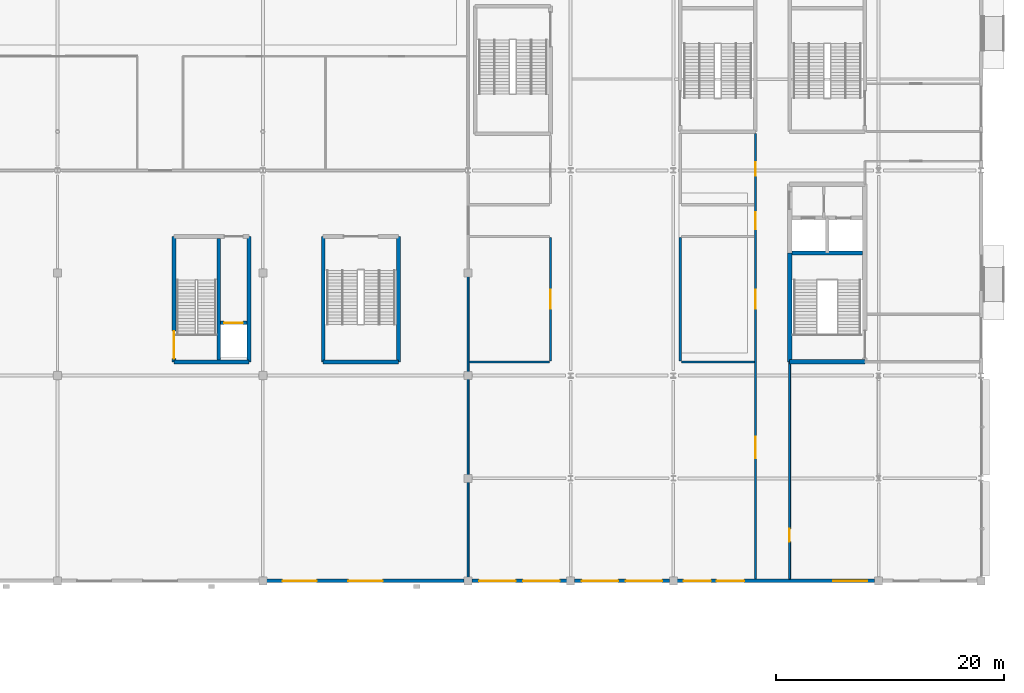
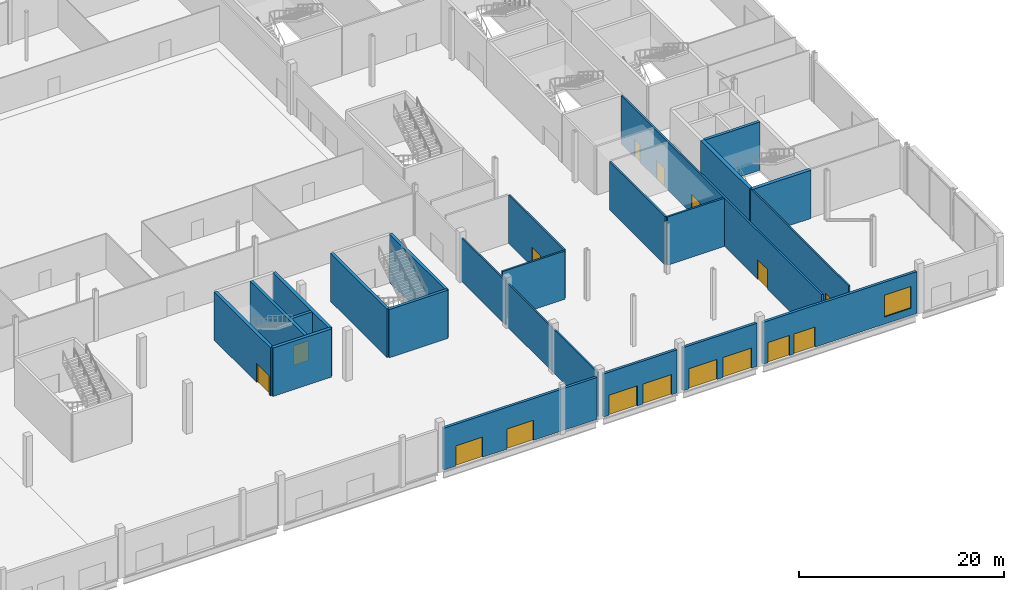
# One storey, part 38 of 84: 23 walls, 16 doors, 1 window, 17 openings.
"""IFC4 building model written with IfcOpenShell, lengths in metres."""

from ifc_helpers import new_model, si_unit, direction, frame, frame_2d, origin, place, context, subcontext, project, spatial, rectangle, extrude, material, layer, layer_set, type_object, element, fill, save


model = new_model("IFC4")

# Units and contexts
model_context = context("Model", 3, precision=1e-05, world=origin(), true_north=direction((0.0, 1.0)))
body_context = subcontext(model_context, "Body", "Model", "MODEL_VIEW")
ifc_project = project(units=[si_unit("LENGTHUNIT", "METRE"), si_unit("AREAUNIT", "SQUARE_METRE"), si_unit("VOLUMEUNIT", "CUBIC_METRE"), si_unit("PLANEANGLEUNIT", "RADIAN"), si_unit("MASSUNIT", "GRAM", prefix="KILO")], contexts=[model_context])

# Site, building, storey
site_placement = place(None, origin())
site = spatial("IfcSite", under=ifc_project, at=site_placement, CompositionType="ELEMENT")
building_placement = place(site_placement, origin())
building = spatial("IfcBuilding", under=site, at=building_placement, Name="Kisiwana Market Hall", CompositionType="ELEMENT")
storey_placement = place(building_placement, origin())
storey = spatial("IfcBuildingStorey", under=building, at=storey_placement, Name="L00", CompositionType="ELEMENT", Elevation=0.0)

# Walls
ifc_material_1 = material(Name="Masonry blockwork", Category="masonry")
ifc_layer_1 = layer(ifc_material_1, 0.199951171875, Name="Plastered fire compartment block wall")
ifc_layer_set_1 = layer_set([ifc_layer_1], Name="WL-COMP-200")
wall_type_1 = type_object("IfcWallType", Name="WL-COMP-200", PredefinedType="PARTITIONING", material=ifc_layer_set_1)
wall_1_placement = place(storey_placement, frame((153.0849609375, 19.199951171875, 0.0), z_axis=(0.0, 0.0, 1.0), x_axis=(1.0, 0.0, 0.0)))
element("IfcWall", 1, at=wall_1_placement, inside=storey, type_object=wall_type_1, Name="Interior partition W-0576", PredefinedType="PARTITIONING", context=body_context, shape_type="SweptSolid", body=[
    extrude(rectangle(XDim=7.044921875, YDim=0.199951171875, at=frame_2d((3.5224609375, 0.0))), origin(), (0.0, 0.0, 1.0), 5.75),
])
wall_2_placement = place(storey_placement, frame((171.699951171875, 19.199951171875, 0.0), z_axis=(0.0, 0.0, 1.0), x_axis=(1.0, 0.0, 0.0)))
element("IfcWall", 2, at=wall_2_placement, inside=storey, type_object=wall_type_1, Name="Interior partition W-0577", PredefinedType="PARTITIONING", context=body_context, shape_type="SweptSolid", body=[
    extrude(rectangle(XDim=6.400146484375, YDim=0.199951171875, at=frame_2d((3.2001953125, 0.0))), origin(), (0.0, 0.0, 1.0), 5.75),
])

# Wall, openings, doors
wall_3_placement = place(storey_placement, frame((178.199951171875, 0.14501953125, 0.0), z_axis=(0.0, 0.0, 1.0), x_axis=(0.0, 1.0, 0.0)))
wall_3 = element("IfcWall", 3, at=wall_3_placement, inside=storey, type_object=wall_type_1, Name="Interior partition W-0587", PredefinedType="PARTITIONING", context=body_context, shape_type="SweptSolid", body=[
    extrude(rectangle(XDim=39.094970703125, YDim=0.199951171875, at=frame_2d((19.54736328125, 0.0))), origin(), (0.0, 0.0, 1.0), 5.75),
])
opening_1_placement = place(wall_3_placement, frame((10.60498046875, 0.0, 0.0)))
opening_1 = element("IfcOpeningElement", 4, at=opening_1_placement, cuts=wall_3, Name="Opening DR-L00-068", PredefinedType="OPENING", context=body_context, shape_type="SweptSolid", body=[
    extrude(rectangle(XDim=1.89990234375, YDim=2.35009765625, at=frame_2d((0.949951171875, 1.175048828125))), frame((0.0, 0.11181640625, 0.0), z_axis=(0.0, -1.0, 0.0), x_axis=(1.0, 0.0, 0.0)), (0.0, 0.0, 1.0), 0.223876953125),
])
opening_2_placement = place(wall_3_placement, frame((23.705078125, 0.0, 0.0)))
opening_2 = element("IfcOpeningElement", 5, at=opening_2_placement, cuts=wall_3, Name="Opening DR-L00-069", PredefinedType="OPENING", context=body_context, shape_type="SweptSolid", body=[
    extrude(rectangle(XDim=1.699951171875, YDim=2.300048828125, at=frame_2d((0.85009765625, 1.14990234375))), frame((0.0, 0.11181640625, 0.0), z_axis=(0.0, -1.0, 0.0), x_axis=(1.0, 0.0, 0.0)), (0.0, 0.0, 1.0), 0.223876953125),
])
opening_3_placement = place(wall_3_placement, frame((30.705078125, 0.0, 0.0)))
opening_3 = element("IfcOpeningElement", 6, at=opening_3_placement, cuts=wall_3, Name="Opening DR-L00-070", PredefinedType="OPENING", context=body_context, shape_type="SweptSolid", body=[
    extrude(rectangle(XDim=1.5, YDim=2.199951171875, at=frame_2d((0.75, 1.10009765625))), frame((0.0, 0.11181640625, 0.0), z_axis=(0.0, -1.0, 0.0), x_axis=(1.0, 0.0, 0.0)), (0.0, 0.0, 1.0), 0.223876953125),
])
opening_4_placement = place(wall_3_placement, frame((35.405029296875, 0.0, 0.0)))
opening_4 = element("IfcOpeningElement", 7, at=opening_4_placement, cuts=wall_3, Name="Opening DR-L00-071", PredefinedType="OPENING", context=body_context, shape_type="SweptSolid", body=[
    extrude(rectangle(XDim=1.14990234375, YDim=2.14990234375, at=frame_2d((0.574951171875, 1.074951171875))), frame((0.0, 0.11181640625, 0.0), z_axis=(0.0, -1.0, 0.0), x_axis=(1.0, 0.0, 0.0)), (0.0, 0.0, 1.0), 0.223876953125),
])
ifc_material_2 = material(Name="Steel S275", Category="steel")
door_type_1 = type_object("IfcDoorType", Name="DR-CORR-FD60-1500", OperationType="DOUBLE_DOOR_SINGLE_SWING", PredefinedType="DOOR", material=ifc_material_2)
door_1_placement = place(opening_3_placement, origin())
door_1 = element("IfcDoor", 8, at=door_1_placement, inside=storey, type_object=door_type_1, Name="L00 E South Market Link Corridor Door", OperationType="DOUBLE_DOOR_SINGLE_SWING", OverallHeight=2.199951171875, OverallWidth=1.5, PredefinedType="DOOR", context=body_context, shape_type="SweptSolid", body=[
    extrude(rectangle(XDim=1.5, YDim=2.199951171875, at=frame_2d((0.75, 1.10009765625))), frame((0.0, 0.02490234375, 0.0), z_axis=(0.0, -1.0, 0.0), x_axis=(1.0, 0.0, 0.0)), (0.0, 0.0, 1.0), 0.050048828125),
])
fill(opening_3, door_1)
ifc_material_3 = material(Name="Steel S275", Category="steel")
door_type_2 = type_object("IfcDoorType", Name="DR-HALL-1900", OperationType="DOUBLE_DOOR_SINGLE_SWING", PredefinedType="DOOR", material=ifc_material_3)
door_2_placement = place(opening_1_placement, origin())
door_2 = element("IfcDoor", 9, at=door_2_placement, inside=storey, type_object=door_type_2, Name="L00 E East Avenue Office Lobby Door", OperationType="DOUBLE_DOOR_SINGLE_SWING", OverallHeight=2.35009765625, OverallWidth=1.89990234375, PredefinedType="DOOR", context=body_context, shape_type="SweptSolid", body=[
    extrude(rectangle(XDim=1.89990234375, YDim=2.35009765625, at=frame_2d((0.949951171875, 1.175048828125))), frame((0.0, 0.02490234375, 0.0), z_axis=(0.0, -1.0, 0.0), x_axis=(1.0, 0.0, 0.0)), (0.0, 0.0, 1.0), 0.050048828125),
])
fill(opening_1, door_2)
ifc_material_4 = material(Name="Aluminium alloy 6063-T6", Category="aluminium")
door_type_3 = type_object("IfcDoorType", Name="DR-MEET-1150", OperationType="NOTDEFINED", PredefinedType="DOOR", material=ifc_material_4)
door_3_placement = place(opening_4_placement, origin())
door_3 = element("IfcDoor", 10, at=door_3_placement, inside=storey, type_object=door_type_3, Name="L00 E Cold-Chain Marshalling Hall Door", OperationType="SINGLE_SWING_RIGHT", OverallHeight=2.14990234375, OverallWidth=1.14990234375, PredefinedType="DOOR", context=body_context, shape_type="SweptSolid", body=[
    extrude(rectangle(XDim=1.14990234375, YDim=2.14990234375, at=frame_2d((0.574951171875, 1.074951171875))), frame((0.0, 0.02490234375, 0.0), z_axis=(0.0, -1.0, 0.0), x_axis=(1.0, 0.0, 0.0)), (0.0, 0.0, 1.0), 0.050048828125),
])
fill(opening_4, door_3)
ifc_material_5 = material(Name="Aluminium alloy 6063-T6", Category="aluminium")
door_type_4 = type_object("IfcDoorType", Name="DR-SHOP-1700", OperationType="DOUBLE_DOOR_SINGLE_SWING", PredefinedType="DOOR", material=ifc_material_5)
door_4_placement = place(opening_2_placement, origin())
door_4 = element("IfcDoor", 11, at=door_4_placement, inside=storey, type_object=door_type_4, Name="L00 E Market Retail Shop Door", OperationType="DOUBLE_DOOR_SINGLE_SWING", OverallHeight=2.300048828125, OverallWidth=1.699951171875, PredefinedType="DOOR", context=body_context, shape_type="SweptSolid", body=[
    extrude(rectangle(XDim=1.699951171875, YDim=2.300048828125, at=frame_2d((0.85009765625, 1.14990234375))), frame((0.0, 0.02490234375, 0.0), z_axis=(0.0, -1.0, 0.0), x_axis=(1.0, 0.0, 0.0)), (0.0, 0.0, 1.0), 0.050048828125),
])
fill(opening_2, door_4)

# Wall, opening, door
wall_4_placement = place(storey_placement, frame((160.22998046875, 19.300048828125, 0.0), z_axis=(0.0, 0.0, 1.0), x_axis=(0.0, 1.0, 0.0)))
wall_4 = element("IfcWall", 12, at=wall_4_placement, inside=storey, type_object=wall_type_1, Name="Interior partition W-0658", PredefinedType="PARTITIONING", context=body_context, shape_type="SweptSolid", body=[
    extrude(rectangle(XDim=10.800048828125, YDim=0.199951171875, at=frame_2d((5.39990234375, 0.0))), origin(), (0.0, 0.0, 1.0), 5.75),
])
opening_5_placement = place(wall_4_placement, frame((4.550048828125, 0.0, 0.0)))
opening_5 = element("IfcOpeningElement", 13, at=opening_5_placement, cuts=wall_4, Name="Opening DR-L00-110", PredefinedType="OPENING", context=body_context, shape_type="SweptSolid", body=[
    extrude(rectangle(XDim=1.699951171875, YDim=2.300048828125, at=frame_2d((0.85009765625, 1.14990234375))), frame((0.0, 0.11181640625, 0.0), z_axis=(0.0, -1.0, 0.0), x_axis=(1.0, 0.0, 0.0)), (0.0, 0.0, 1.0), 0.223876953125),
])
door_5_placement = place(opening_5_placement, origin())
door_5 = element("IfcDoor", 14, at=door_5_placement, inside=storey, type_object=door_type_4, Name="L00 E Market Retail Shop West Door", OperationType="DOUBLE_DOOR_SINGLE_SWING", OverallHeight=2.300048828125, OverallWidth=1.699951171875, PredefinedType="DOOR", context=body_context, shape_type="SweptSolid", body=[
    extrude(rectangle(XDim=1.699951171875, YDim=2.300048828125, at=frame_2d((0.85009765625, 1.14990234375))), frame((0.0, 0.02490234375, 0.0), z_axis=(0.0, -1.0, 0.0), x_axis=(1.0, 0.0, 0.0)), (0.0, 0.0, 1.0), 0.050048828125),
])
fill(opening_5, door_5)

# Walls
wall_5_placement = place(storey_placement, frame((171.60009765625, 19.300048828125, 0.0), z_axis=(0.0, 0.0, 1.0), x_axis=(0.0, 1.0, 0.0)))
element("IfcWall", 15, at=wall_5_placement, inside=storey, type_object=wall_type_1, Name="Interior partition W-0660", PredefinedType="PARTITIONING", context=body_context, shape_type="SweptSolid", body=[
    extrude(rectangle(XDim=10.800048828125, YDim=0.199951171875, at=frame_2d((5.39990234375, 0.0))), origin(), (0.0, 0.0, 1.0), 5.75),
])
ifc_material_6 = material(Name="Concrete C40/50", Category="concrete")
ifc_layer_2 = layer(ifc_material_6, 0.320068359375, Name="Reinforced concrete shaft wall")
ifc_layer_set_2 = layer_set([ifc_layer_2], Name="WL-CORE-320")
wall_type_2 = type_object("IfcWallType", Name="WL-CORE-320", PredefinedType="SHEAR", material=ifc_layer_set_2)
wall_6_placement = place(storey_placement, frame((181.39990234375, 28.760009765625, 0.0), z_axis=(0.0, 0.0, 1.0), x_axis=(1.0, 0.0, 0.0)))
element("IfcWall", 16, at=wall_6_placement, inside=storey, type_object=wall_type_2, Name="Core E2 shaft back shear wall W-0358", PredefinedType="SHEAR", context=body_context, shape_type="SweptSolid", body=[
    extrude(rectangle(XDim=6.2001953125, YDim=0.320068359375, at=frame_2d((3.10009765625, 0.0))), origin(), (0.0, 0.0, 1.0), 5.75),
])
wall_7_placement = place(storey_placement, frame((131.139892578125, 19.3798828125, 0.0), z_axis=(0.0, 0.0, 1.0), x_axis=(0.0, 1.0, 0.0)))
element("IfcWall", 17, at=wall_7_placement, inside=storey, type_object=wall_type_2, Name="Core S2 shaft divider W-0380", PredefinedType="SHEAR", context=body_context, shape_type="SweptSolid", body=[
    extrude(rectangle(XDim=10.64013671875, YDim=0.320068359375, at=frame_2d((5.320068359375, 0.0))), origin(), (0.0, 0.0, 1.0), 5.75),
])

# Wall, opening, door
wall_8_placement = place(storey_placement, frame((131.300048828125, 22.6298828125, 0.0), z_axis=(0.0, 0.0, 1.0), x_axis=(1.0, 0.0, 0.0)))
wall_8 = element("IfcWall", 18, at=wall_8_placement, inside=storey, type_object=wall_type_2, Name="Core S2 goods lift front wall W-0381", PredefinedType="SHEAR", context=body_context, shape_type="SweptSolid", body=[
    extrude(rectangle(XDim=2.320068359375, YDim=0.320068359375, at=frame_2d((1.16015625, 0.0))), origin(), (0.0, 0.0, 1.0), 5.75),
])
opening_6_placement = place(wall_8_placement, frame((0.300048828125, 0.0, 0.0)))
opening_6 = element("IfcOpeningElement", 19, at=opening_6_placement, cuts=wall_8, Name="Opening LD-L00-009", PredefinedType="OPENING", context=body_context, shape_type="SweptSolid", body=[
    extrude(rectangle(XDim=1.64990234375, YDim=2.35009765625, at=frame_2d((0.824951171875, 1.175048828125))), frame((0.0, 0.171875, 0.0), z_axis=(0.0, -1.0, 0.0), x_axis=(1.0, 0.0, 0.0)), (0.0, 0.0, 1.0), 0.343994140625),
])
ifc_material_7 = material(Name="Steel S275", Category="steel")
door_type_5 = type_object("IfcDoorType", Name="DR-LIFT-GDS-1650", OperationType="DOUBLE_DOOR_SLIDING", PredefinedType="DOOR", material=ifc_material_7)
door_6_placement = place(opening_6_placement, origin())
door_6 = element("IfcDoor", 20, at=door_6_placement, inside=storey, type_object=door_type_5, Name="Lift Landing Door LG-01 (L00)", OperationType="DOUBLE_DOOR_SLIDING", OverallHeight=2.35009765625, OverallWidth=1.64990234375, PredefinedType="DOOR", context=body_context, shape_type="SweptSolid", body=[
    extrude(rectangle(XDim=1.64990234375, YDim=2.35009765625, at=frame_2d((0.824951171875, 1.175048828125))), frame((0.0, 0.02490234375, 0.0), z_axis=(0.0, -1.0, 0.0), x_axis=(1.0, 0.0, 0.0)), (0.0, 0.0, 1.0), 0.050048828125),
])
fill(opening_6, door_6)

# Walls
wall_9_placement = place(storey_placement, frame((140.300048828125, 19.199951171875, 0.0), z_axis=(0.0, 0.0, 1.0), x_axis=(1.0, 0.0, 0.0)))
element("IfcWall", 21, at=wall_9_placement, inside=storey, type_object=wall_type_2, Name="Core S6 outer shear wall W-0481", PredefinedType="SHEAR", context=body_context, shape_type="SweptSolid", body=[
    extrude(rectangle(XDim=6.599853515625, YDim=0.320068359375, at=frame_2d((3.2998046875, 0.0))), origin(), (0.0, 0.0, 1.0), 5.75),
])
for number, where, z_axis, x_axis, name in (
    (22, (140.300048828125, 19.199951171875, 0.0), (0.0, 0.0, 1.0), (0.0, 1.0, 0.0), "Core S6 west shear wall W-0483"),
    (23, (146.89990234375, 19.199951171875, 0.0), (0.0, 0.0, 1.0), (0.0, 1.0, 0.0), "Core S6 east shear wall W-0484"),
):
    element("IfcWall", number, at=place(storey_placement, frame(where, z_axis=z_axis, x_axis=x_axis)), inside=storey, type_object=wall_type_2, Name=name, PredefinedType="SHEAR", context=body_context, shape_type="SweptSolid", body=[
        extrude(rectangle(XDim=11.0, YDim=0.320068359375, at=frame_2d((5.5, 0.0))), origin(), (0.0, 0.0, 1.0), 5.75),
    ])
ifc_material_8 = material(Name="Concrete C40/50", Category="concrete")
ifc_layer_3 = layer(ifc_material_8, 0.360107421875, Name="Reinforced concrete core wall")
ifc_layer_set_3 = layer_set([ifc_layer_3], Name="WL-CORE-360")
wall_type_3 = type_object("IfcWallType", Name="WL-CORE-360", PredefinedType="SHEAR", material=ifc_layer_set_3)
wall_10_placement = place(storey_placement, frame((127.199951171875, 19.199951171875, 0.0), z_axis=(0.0, 0.0, 1.0), x_axis=(1.0, 0.0, 0.0)))
element("IfcWall", 24, at=wall_10_placement, inside=storey, type_object=wall_type_3, Name="Core S2 south wall W-0376", PredefinedType="SHEAR", context=body_context, shape_type="SweptSolid", body=[
    extrude(rectangle(XDim=6.60009765625, YDim=0.360107421875, at=frame_2d((3.300048828125, 0.0))), origin(), (0.0, 0.0, 1.0), 5.75),
])

# Wall, opening, door
wall_11_placement = place(storey_placement, frame((127.199951171875, 19.199951171875, 0.0), z_axis=(0.0, 0.0, 1.0), x_axis=(0.0, 1.0, 0.0)))
wall_11 = element("IfcWall", 25, at=wall_11_placement, inside=storey, type_object=wall_type_3, Name="Core S2 west wall W-0378", PredefinedType="SHEAR", context=body_context, shape_type="SweptSolid", body=[
    extrude(rectangle(XDim=11.0, YDim=0.360107421875, at=frame_2d((5.5, 0.0))), origin(), (0.0, 0.0, 1.0), 5.75),
])
opening_7_placement = place(wall_11_placement, frame((0.300048828125, 0.0, 0.0)))
opening_7 = element("IfcOpeningElement", 26, at=opening_7_placement, cuts=wall_11, Name="Opening DR-L00-014", PredefinedType="OPENING", context=body_context, shape_type="SweptSolid", body=[
    extrude(rectangle(XDim=2.39990234375, YDim=2.25, at=frame_2d((1.199951171875, 1.125))), frame((0.0, 0.19189453125, 0.0), z_axis=(0.0, -1.0, 0.0), x_axis=(1.0, 0.0, 0.0)), (0.0, 0.0, 1.0), 0.384033203125),
])
ifc_material_9 = material(Name="Steel S275", Category="steel")
door_type_6 = type_object("IfcDoorType", Name="DR-STAIR-FD120-2400", OperationType="DOUBLE_DOOR_SINGLE_SWING", PredefinedType="DOOR", material=ifc_material_9)
door_7_placement = place(opening_7_placement, origin())
door_7 = element("IfcDoor", 27, at=door_7_placement, inside=storey, type_object=door_type_6, Name="Podium Escape Stair S2 Fire Door (L00)", OperationType="DOUBLE_DOOR_SINGLE_SWING", OverallHeight=2.25, OverallWidth=2.39990234375, PredefinedType="DOOR", context=body_context, shape_type="SweptSolid", body=[
    extrude(rectangle(XDim=2.39990234375, YDim=2.25, at=frame_2d((1.199951171875, 1.125))), frame((0.0, 0.02490234375, 0.0), z_axis=(0.0, -1.0, 0.0), x_axis=(1.0, 0.0, 0.0)), (0.0, 0.0, 1.0), 0.050048828125),
])
fill(opening_7, door_7)

# Walls
wall_12_placement = place(storey_placement, frame((133.800048828125, 19.199951171875, 0.0), z_axis=(0.0, 0.0, 1.0), x_axis=(0.0, 1.0, 0.0)))
element("IfcWall", 28, at=wall_12_placement, inside=storey, type_object=wall_type_3, Name="Core S2 east wall W-0379", PredefinedType="SHEAR", context=body_context, shape_type="SweptSolid", body=[
    extrude(rectangle(XDim=11.0, YDim=0.360107421875, at=frame_2d((5.5, 0.0))), origin(), (0.0, 0.0, 1.0), 5.75),
])
ifc_material_10 = material(Name="Concrete C40/50", Category="concrete")
ifc_layer_4 = layer(ifc_material_10, 0.39990234375, Name="Reinforced concrete core wall")
ifc_layer_set_4 = layer_set([ifc_layer_4], Name="WL-CORE-400")
wall_type_4 = type_object("IfcWallType", Name="WL-CORE-400", PredefinedType="SHEAR", material=ifc_layer_set_4)
wall_13_placement = place(storey_placement, frame((181.199951171875, 19.199951171875, 0.0), z_axis=(0.0, 0.0, 1.0), x_axis=(1.0, 0.0, 0.0)))
element("IfcWall", 29, at=wall_13_placement, inside=storey, type_object=wall_type_4, Name="Core E2 south shear wall W-0353", PredefinedType="SHEAR", context=body_context, shape_type="SweptSolid", body=[
    extrude(rectangle(XDim=6.60009765625, YDim=0.39990234375, at=frame_2d((3.300048828125, 0.0))), origin(), (0.0, 0.0, 1.0), 5.75),
])
wall_14_placement = place(storey_placement, frame((181.199951171875, 19.199951171875, 0.0), z_axis=(0.0, 0.0, 1.0), x_axis=(0.0, 1.0, 0.0)))
element("IfcWall", 30, at=wall_14_placement, inside=storey, type_object=wall_type_4, Name="Core E2 stair corridor shear wall W-0356", PredefinedType="SHEAR", context=body_context, shape_type="SweptSolid", body=[
    extrude(rectangle(XDim=9.56005859375, YDim=0.39990234375, at=frame_2d((4.780029296875, 0.0))), origin(), (0.0, 0.0, 1.0), 5.75),
])

# Wall, opening, door
ifc_material_11 = material(Name="Masonry blockwork", Category="masonry")
ifc_layer_5 = layer(ifc_material_11, 0.169921875, Name="Protected corridor partition")
ifc_layer_set_5 = layer_set([ifc_layer_5], Name="WL-CORR-170")
wall_type_5 = type_object("IfcWallType", Name="WL-CORR-170", PredefinedType="PARTITIONING", material=ifc_layer_set_5)
wall_15_placement = place(storey_placement, frame((181.199951171875, 0.14501953125, 0.0), z_axis=(0.0, 0.0, 1.0), x_axis=(0.0, 1.0, 0.0)))
wall_15 = element("IfcWall", 31, at=wall_15_placement, inside=storey, type_object=wall_type_5, Name="Interior partition W-0574", PredefinedType="PARTITIONING", context=body_context, shape_type="SweptSolid", body=[
    extrude(rectangle(XDim=19.054931640625, YDim=0.169921875, at=frame_2d((9.52734375, 0.0))), origin(), (0.0, 0.0, 1.0), 5.75),
])
opening_8_placement = place(wall_15_placement, frame((3.300048828125, 0.0, 0.0)))
opening_8 = element("IfcOpeningElement", 32, at=opening_8_placement, cuts=wall_15, Name="Opening DR-L00-064", PredefinedType="OPENING", context=body_context, shape_type="SweptSolid", body=[
    extrude(rectangle(XDim=1.14990234375, YDim=2.14990234375, at=frame_2d((0.574951171875, 1.074951171875))), frame((0.0, 0.096923828125, 0.0), z_axis=(0.0, -1.0, 0.0), x_axis=(1.0, 0.0, 0.0)), (0.0, 0.0, 1.0), 0.19384765625),
])
door_8_placement = place(opening_8_placement, frame((1.14990234375, 0.0, 0.0), z_axis=(0.0, 0.0, 1.0), x_axis=(-1.0, 0.0, 0.0)))
door_8 = element("IfcDoor", 33, at=door_8_placement, inside=storey, type_object=door_type_3, Name="L00 E Entrance Foyer Door", OperationType="SINGLE_SWING_RIGHT", OverallHeight=2.14990234375, OverallWidth=1.14990234375, PredefinedType="DOOR", context=body_context, shape_type="SweptSolid", body=[
    extrude(rectangle(XDim=1.14990234375, YDim=2.14990234375, at=frame_2d((0.574951171875, 1.074951171875))), frame((0.0, 0.02490234375, 0.0), z_axis=(0.0, -1.0, 0.0), x_axis=(1.0, 0.0, 0.0)), (0.0, 0.0, 1.0), 0.050048828125),
])
fill(opening_8, door_8)

# Walls
wall_16_placement = place(storey_placement, frame((153.0, 0.219970703125, 0.0), z_axis=(0.0, 0.0, 1.0), x_axis=(0.0, 1.0, 0.0)))
element("IfcWall", 34, at=wall_16_placement, inside=storey, type_object=wall_type_5, Name="Interior partition W-0589", PredefinedType="PARTITIONING", context=body_context, shape_type="SweptSolid", body=[
    extrude(rectangle(XDim=17.56005859375, YDim=0.169921875, at=frame_2d((8.780029296875, 0.0))), origin(), (0.0, 0.0, 1.0), 5.216796875),
])
wall_17_placement = place(storey_placement, frame((153.0, 18.219970703125, 0.0), z_axis=(0.0, 0.0, 1.0), x_axis=(0.0, 1.0, 0.0)))
element("IfcWall", 35, at=wall_17_placement, inside=storey, type_object=wall_type_5, Name="Interior partition W-0590", PredefinedType="PARTITIONING", context=body_context, shape_type="SweptSolid", body=[
    extrude(rectangle(XDim=8.56005859375, YDim=0.169921875, at=frame_2d((4.280029296875, 0.0))), origin(), (0.0, 0.0, 1.0), 5.216796875),
])

# Wall, openings, doors
ifc_material_12 = material(Name="Masonry blockwork", Category="masonry")
ifc_layer_6 = layer(ifc_material_12, 0.139892578125, Name="Rendered masonry outer leaf")
ifc_material_13 = material(Name="Mineral wool insulation")
ifc_layer_7 = layer(ifc_material_13, 0.074951171875, Name="Mineral wool cavity insulation")
ifc_material_14 = material(Name="Gypsum plasterboard")
ifc_layer_8 = layer(ifc_material_14, 0.074951171875, Name="Calcium silicate inner lining")
ifc_layer_set_6 = layer_set([ifc_layer_6, ifc_layer_7, ifc_layer_8], Name="WL-EXT-MAS-290")
wall_type_6 = type_object("IfcWallType", Name="WL-EXT-MAS-290", PredefinedType="STANDARD", material=ifc_layer_set_6)
wall_18_placement = place(storey_placement, frame((135.342041015625, 0.0, 0.0), z_axis=(0.0, 0.0, 1.0), x_axis=(1.0, 0.0, 0.0)))
wall_18 = element("IfcWall", 36, at=wall_18_placement, inside=storey, type_object=wall_type_6, Name="Exterior wall W-0498", PredefinedType="STANDARD", context=body_context, shape_type="SweptSolid", body=[
    extrude(rectangle(XDim=17.31591796875, YDim=0.2900390625, at=frame_2d((8.657958984375, 0.0))), origin(), (0.0, 0.0, 1.0), 4.98779296875),
])
opening_9_placement = place(wall_18_placement, frame((1.385986328125, 0.0, 0.0)))
opening_9 = element("IfcOpeningElement", 37, at=opening_9_placement, cuts=wall_18, Name="Opening DR-L00-819", PredefinedType="OPENING", context=body_context, shape_type="SweptSolid", body=[
    extrude(rectangle(XDim=3.0, YDim=2.39990234375, at=frame_2d((1.5, 1.199951171875))), frame((0.0, 0.156982421875, 0.0), z_axis=(0.0, -1.0, 0.0), x_axis=(1.0, 0.0, 0.0)), (0.0, 0.0, 1.0), 0.31396484375),
])
opening_10_placement = place(wall_18_placement, frame((7.157958984375, 0.0, 0.0)))
opening_10 = element("IfcOpeningElement", 38, at=opening_10_placement, cuts=wall_18, Name="Opening DR-L00-820", PredefinedType="OPENING", context=body_context, shape_type="SweptSolid", body=[
    extrude(rectangle(XDim=3.0, YDim=2.39990234375, at=frame_2d((1.5, 1.199951171875))), frame((0.0, 0.156982421875, 0.0), z_axis=(0.0, -1.0, 0.0), x_axis=(1.0, 0.0, 0.0)), (0.0, 0.0, 1.0), 0.31396484375),
])
ifc_material_15 = material(Name="Aluminium alloy 6063-T6", Category="aluminium")
door_type_7 = type_object("IfcDoorType", Name="DR-EXT-EX-3000", OperationType="DOUBLE_DOOR_SINGLE_SWING", PredefinedType="DOOR", material=ifc_material_15)
door_9_placement = place(opening_9_placement, frame((3.0, 0.0, 0.0), z_axis=(0.0, 0.0, 1.0), x_axis=(-1.0, 0.0, 0.0)))
door_9 = element("IfcDoor", 39, at=door_9_placement, inside=storey, type_object=door_type_7, Name="Ground avenue pedestrian final exit door DR-L00-819", OperationType="DOUBLE_DOOR_SINGLE_SWING", OverallHeight=2.39990234375, OverallWidth=3.0, PredefinedType="DOOR", context=body_context, shape_type="SweptSolid", body=[
    extrude(rectangle(XDim=3.0, YDim=2.39990234375, at=frame_2d((1.5, 1.199951171875))), frame((0.0, 0.02490234375, 0.0), z_axis=(0.0, -1.0, 0.0), x_axis=(1.0, 0.0, 0.0)), (0.0, 0.0, 1.0), 0.050048828125),
])
fill(opening_9, door_9)
door_10_placement = place(opening_10_placement, frame((3.0, 0.0, 0.0), z_axis=(0.0, 0.0, 1.0), x_axis=(-1.0, 0.0, 0.0)))
door_10 = element("IfcDoor", 40, at=door_10_placement, inside=storey, type_object=door_type_7, Name="Ground avenue pedestrian final exit door DR-L00-820", OperationType="DOUBLE_DOOR_SINGLE_SWING", OverallHeight=2.39990234375, OverallWidth=3.0, PredefinedType="DOOR", context=body_context, shape_type="SweptSolid", body=[
    extrude(rectangle(XDim=3.0, YDim=2.39990234375, at=frame_2d((1.5, 1.199951171875))), frame((0.0, 0.02490234375, 0.0), z_axis=(0.0, -1.0, 0.0), x_axis=(1.0, 0.0, 0.0)), (0.0, 0.0, 1.0), 0.050048828125),
])
fill(opening_10, door_10)

wall_19_placement = place(storey_placement, frame((153.342041015625, 0.0, 0.0), z_axis=(0.0, 0.0, 1.0), x_axis=(1.0, 0.0, 0.0)))
wall_19 = element("IfcWall", 41, at=wall_19_placement, inside=storey, type_object=wall_type_6, Name="Exterior wall W-0499", PredefinedType="STANDARD", context=body_context, shape_type="SweptSolid", body=[
    extrude(rectangle(XDim=8.31591796875, YDim=0.2900390625, at=frame_2d((4.157958984375, 0.0))), origin(), (0.0, 0.0, 1.0), 5.1376953125),
])
opening_11_placement = place(wall_19_placement, frame((0.62890625, 0.0, 0.0)))
opening_11 = element("IfcOpeningElement", 42, at=opening_11_placement, cuts=wall_19, Name="Opening DR-L00-821", PredefinedType="OPENING", context=body_context, shape_type="SweptSolid", body=[
    extrude(rectangle(XDim=3.199951171875, YDim=2.39990234375, at=frame_2d((1.60009765625, 1.199951171875))), frame((0.0, 0.156982421875, 0.0), z_axis=(0.0, -1.0, 0.0), x_axis=(1.0, 0.0, 0.0)), (0.0, 0.0, 1.0), 0.31396484375),
])
opening_12_placement = place(wall_19_placement, frame((4.487060546875, 0.0, 0.0)))
opening_12 = element("IfcOpeningElement", 43, at=opening_12_placement, cuts=wall_19, Name="Opening DR-L00-822", PredefinedType="OPENING", context=body_context, shape_type="SweptSolid", body=[
    extrude(rectangle(XDim=3.199951171875, YDim=2.39990234375, at=frame_2d((1.60009765625, 1.199951171875))), frame((0.0, 0.156982421875, 0.0), z_axis=(0.0, -1.0, 0.0), x_axis=(1.0, 0.0, 0.0)), (0.0, 0.0, 1.0), 0.31396484375),
])
ifc_material_16 = material(Name="Aluminium alloy 6063-T6", Category="aluminium")
door_type_8 = type_object("IfcDoorType", Name="DR-EXT-EX-3200", OperationType="DOUBLE_DOOR_SINGLE_SWING", PredefinedType="DOOR", material=ifc_material_16)
door_11_placement = place(opening_11_placement, frame((3.199951171875, 0.0, 0.0), z_axis=(0.0, 0.0, 1.0), x_axis=(-1.0, 0.0, 0.0)))
door_11 = element("IfcDoor", 44, at=door_11_placement, inside=storey, type_object=door_type_8, Name="Ground avenue pedestrian final exit door DR-L00-821", OperationType="DOUBLE_DOOR_SINGLE_SWING", OverallHeight=2.39990234375, OverallWidth=3.199951171875, PredefinedType="DOOR", context=body_context, shape_type="SweptSolid", body=[
    extrude(rectangle(XDim=3.199951171875, YDim=2.39990234375, at=frame_2d((1.60009765625, 1.199951171875))), frame((0.0, 0.02490234375, 0.0), z_axis=(0.0, -1.0, 0.0), x_axis=(1.0, 0.0, 0.0)), (0.0, 0.0, 1.0), 0.050048828125),
])
fill(opening_11, door_11)
door_12_placement = place(opening_12_placement, frame((3.199951171875, 0.0, 0.0), z_axis=(0.0, 0.0, 1.0), x_axis=(-1.0, 0.0, 0.0)))
door_12 = element("IfcDoor", 45, at=door_12_placement, inside=storey, type_object=door_type_8, Name="Ground avenue pedestrian final exit door DR-L00-822", OperationType="DOUBLE_DOOR_SINGLE_SWING", OverallHeight=2.39990234375, OverallWidth=3.199951171875, PredefinedType="DOOR", context=body_context, shape_type="SweptSolid", body=[
    extrude(rectangle(XDim=3.199951171875, YDim=2.39990234375, at=frame_2d((1.60009765625, 1.199951171875))), frame((0.0, 0.02490234375, 0.0), z_axis=(0.0, -1.0, 0.0), x_axis=(1.0, 0.0, 0.0)), (0.0, 0.0, 1.0), 0.050048828125),
])
fill(opening_12, door_12)

wall_20_placement = place(storey_placement, frame((162.342041015625, 0.0, 0.0), z_axis=(0.0, 0.0, 1.0), x_axis=(1.0, 0.0, 0.0)))
wall_20 = element("IfcWall", 46, at=wall_20_placement, inside=storey, type_object=wall_type_6, Name="Exterior wall W-0500", PredefinedType="STANDARD", context=body_context, shape_type="SweptSolid", body=[
    extrude(rectangle(XDim=8.31591796875, YDim=0.2900390625, at=frame_2d((4.157958984375, 0.0))), origin(), (0.0, 0.0, 1.0), 5.1376953125),
])
opening_13_placement = place(wall_20_placement, frame((0.62890625, 0.0, 0.0)))
opening_13 = element("IfcOpeningElement", 47, at=opening_13_placement, cuts=wall_20, Name="Opening DR-L00-823", PredefinedType="OPENING", context=body_context, shape_type="SweptSolid", body=[
    extrude(rectangle(XDim=3.199951171875, YDim=2.39990234375, at=frame_2d((1.60009765625, 1.199951171875))), frame((0.0, 0.156982421875, 0.0), z_axis=(0.0, -1.0, 0.0), x_axis=(1.0, 0.0, 0.0)), (0.0, 0.0, 1.0), 0.31396484375),
])
opening_14_placement = place(wall_20_placement, frame((4.487060546875, 0.0, 0.0)))
opening_14 = element("IfcOpeningElement", 48, at=opening_14_placement, cuts=wall_20, Name="Opening DR-L00-824", PredefinedType="OPENING", context=body_context, shape_type="SweptSolid", body=[
    extrude(rectangle(XDim=3.199951171875, YDim=2.39990234375, at=frame_2d((1.60009765625, 1.199951171875))), frame((0.0, 0.156982421875, 0.0), z_axis=(0.0, -1.0, 0.0), x_axis=(1.0, 0.0, 0.0)), (0.0, 0.0, 1.0), 0.31396484375),
])
door_13_placement = place(opening_13_placement, frame((3.199951171875, 0.0, 0.0), z_axis=(0.0, 0.0, 1.0), x_axis=(-1.0, 0.0, 0.0)))
door_13 = element("IfcDoor", 49, at=door_13_placement, inside=storey, type_object=door_type_8, Name="Ground avenue pedestrian final exit door DR-L00-823", OperationType="DOUBLE_DOOR_SINGLE_SWING", OverallHeight=2.39990234375, OverallWidth=3.199951171875, PredefinedType="DOOR", context=body_context, shape_type="SweptSolid", body=[
    extrude(rectangle(XDim=3.199951171875, YDim=2.39990234375, at=frame_2d((1.60009765625, 1.199951171875))), frame((0.0, 0.02490234375, 0.0), z_axis=(0.0, -1.0, 0.0), x_axis=(1.0, 0.0, 0.0)), (0.0, 0.0, 1.0), 0.050048828125),
])
fill(opening_13, door_13)
door_14_placement = place(opening_14_placement, frame((3.199951171875, 0.0, 0.0), z_axis=(0.0, 0.0, 1.0), x_axis=(-1.0, 0.0, 0.0)))
door_14 = element("IfcDoor", 50, at=door_14_placement, inside=storey, type_object=door_type_8, Name="Ground avenue pedestrian final exit door DR-L00-824", OperationType="DOUBLE_DOOR_SINGLE_SWING", OverallHeight=2.39990234375, OverallWidth=3.199951171875, PredefinedType="DOOR", context=body_context, shape_type="SweptSolid", body=[
    extrude(rectangle(XDim=3.199951171875, YDim=2.39990234375, at=frame_2d((1.60009765625, 1.199951171875))), frame((0.0, 0.02490234375, 0.0), z_axis=(0.0, -1.0, 0.0), x_axis=(1.0, 0.0, 0.0)), (0.0, 0.0, 1.0), 0.050048828125),
])
fill(opening_14, door_14)

# Wall, openings, doors, window
wall_21_placement = place(storey_placement, frame((171.342041015625, 0.0, 0.0), z_axis=(0.0, 0.0, 1.0), x_axis=(1.0, 0.0, 0.0)))
wall_21 = element("IfcWall", 51, at=wall_21_placement, inside=storey, type_object=wall_type_6, Name="Exterior wall W-0501", PredefinedType="STANDARD", context=body_context, shape_type="SweptSolid", body=[
    extrude(rectangle(XDim=17.31591796875, YDim=0.2900390625, at=frame_2d((8.657958984375, 0.0))), origin(), (0.0, 0.0, 1.0), 4.98779296875),
])
opening_15_placement = place(wall_21_placement, frame((0.55810546875, 0.0, 0.0)))
opening_15 = element("IfcOpeningElement", 52, at=opening_15_placement, cuts=wall_21, Name="Opening DR-L00-825", PredefinedType="OPENING", context=body_context, shape_type="SweptSolid", body=[
    extrude(rectangle(XDim=2.39990234375, YDim=2.39990234375, at=frame_2d((1.199951171875, 1.199951171875))), frame((0.0, 0.156982421875, 0.0), z_axis=(0.0, -1.0, 0.0), x_axis=(1.0, 0.0, 0.0)), (0.0, 0.0, 1.0), 0.31396484375),
])
opening_16_placement = place(wall_21_placement, frame((3.4580078125, 0.0, 0.0)))
opening_16 = element("IfcOpeningElement", 53, at=opening_16_placement, cuts=wall_21, Name="Opening DR-L00-826", PredefinedType="OPENING", context=body_context, shape_type="SweptSolid", body=[
    extrude(rectangle(XDim=2.39990234375, YDim=2.39990234375, at=frame_2d((1.199951171875, 1.199951171875))), frame((0.0, 0.156982421875, 0.0), z_axis=(0.0, -1.0, 0.0), x_axis=(1.0, 0.0, 0.0)), (0.0, 0.0, 1.0), 0.31396484375),
])
opening_17_placement = place(wall_21_placement, frame((13.666015625, 0.0, 0.85009765625)))
opening_17 = element("IfcOpeningElement", 54, at=opening_17_placement, cuts=wall_21, Name="Opening WN-06", PredefinedType="OPENING", context=body_context, shape_type="SweptSolid", body=[
    extrude(rectangle(XDim=3.0, YDim=2.60009765625, at=frame_2d((1.5, 1.300048828125))), frame((0.0, 0.156982421875, 0.0), z_axis=(0.0, -1.0, 0.0), x_axis=(1.0, 0.0, 0.0)), (0.0, 0.0, 1.0), 0.31396484375),
])
ifc_material_17 = material(Name="Aluminium alloy 6063-T6", Category="aluminium")
door_type_9 = type_object("IfcDoorType", Name="DR-EXT-EX-2400", OperationType="DOUBLE_DOOR_SINGLE_SWING", PredefinedType="DOOR", material=ifc_material_17)
door_15_placement = place(opening_15_placement, frame((2.39990234375, 0.0, 0.0), z_axis=(0.0, 0.0, 1.0), x_axis=(-1.0, 0.0, 0.0)))
door_15 = element("IfcDoor", 55, at=door_15_placement, inside=storey, type_object=door_type_9, Name="Lobby final exit door DR-L00-825", OperationType="DOUBLE_DOOR_SINGLE_SWING", OverallHeight=2.39990234375, OverallWidth=2.39990234375, PredefinedType="DOOR", context=body_context, shape_type="SweptSolid", body=[
    extrude(rectangle(XDim=2.39990234375, YDim=2.39990234375, at=frame_2d((1.199951171875, 1.199951171875))), frame((0.0, 0.02490234375, 0.0), z_axis=(0.0, -1.0, 0.0), x_axis=(1.0, 0.0, 0.0)), (0.0, 0.0, 1.0), 0.050048828125),
])
fill(opening_15, door_15)
door_16_placement = place(opening_16_placement, frame((2.39990234375, 0.0, 0.0), z_axis=(0.0, 0.0, 1.0), x_axis=(-1.0, 0.0, 0.0)))
door_16 = element("IfcDoor", 56, at=door_16_placement, inside=storey, type_object=door_type_9, Name="Lobby final exit door DR-L00-826", OperationType="DOUBLE_DOOR_SINGLE_SWING", OverallHeight=2.39990234375, OverallWidth=2.39990234375, PredefinedType="DOOR", context=body_context, shape_type="SweptSolid", body=[
    extrude(rectangle(XDim=2.39990234375, YDim=2.39990234375, at=frame_2d((1.199951171875, 1.199951171875))), frame((0.0, 0.02490234375, 0.0), z_axis=(0.0, -1.0, 0.0), x_axis=(1.0, 0.0, 0.0)), (0.0, 0.0, 1.0), 0.050048828125),
])
fill(opening_16, door_16)
ifc_material_18 = material(Name="Double-glazed solar-control low-E IGU", Category="glass")
window_type = type_object("IfcWindowType", Name="WN-POD-3000x2600", PartitioningType="SINGLE_PANEL", PredefinedType="WINDOW", material=ifc_material_18)
window_placement = place(opening_17_placement, origin())
window = element("IfcWindow", 57, at=window_placement, inside=storey, type_object=window_type, Name="Exterior window WN-002", OverallHeight=2.60009765625, OverallWidth=3.0, PartitioningType="SINGLE_PANEL", PredefinedType="WINDOW", context=body_context, shape_type="SweptSolid", body=[
    extrude(rectangle(XDim=3.0, YDim=2.60009765625, at=frame_2d((1.5, 1.300048828125))), frame((0.0, 0.030029296875, 0.0), z_axis=(0.0, -1.0, 0.0), x_axis=(1.0, 0.0, 0.0)), (0.0, 0.0, 1.0), 0.06005859375),
])
fill(opening_17, window)

save(model, "model.ifc")
